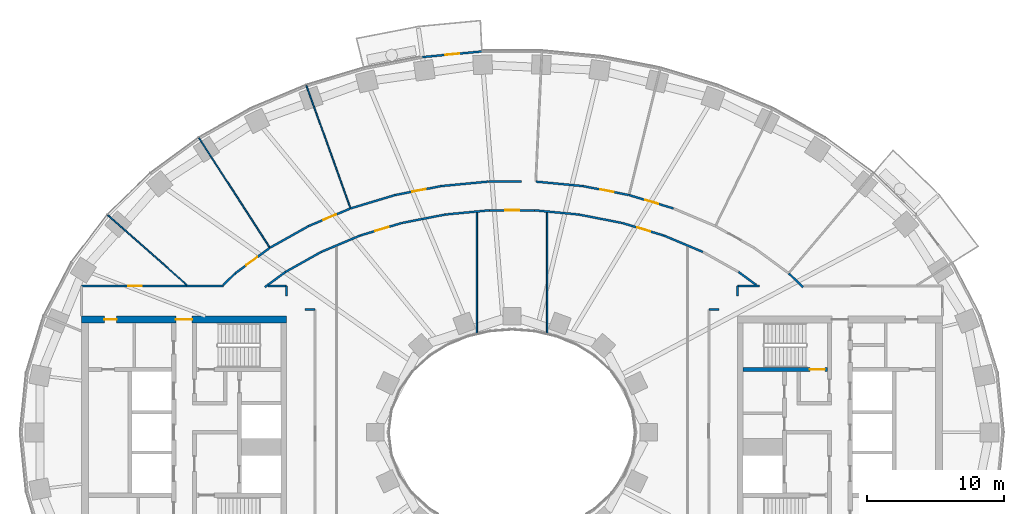
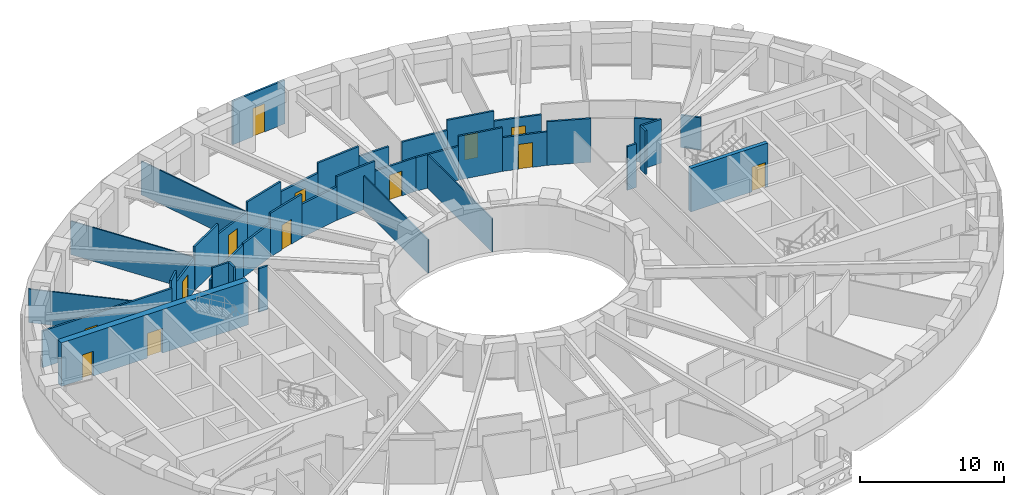
# One storey, part 6 of 16: 39 walls, 13 doors, 13 openings.
"""IFC4 building model written with IfcOpenShell, lengths in metres."""

from ifc_helpers import new_model, si_unit, direction, frame, frame_2d, origin, place, context, subcontext, project, spatial, rectangle, extrude, material, layer, layer_set, type_object, element, fill, save


model = new_model("IFC4")

# Units and contexts
model_context = context("Model", 3, precision=1e-05, world=origin(), true_north=direction((0.0, 1.0)))
body_context = subcontext(model_context, "Body", "Model", "MODEL_VIEW")
ifc_project = project(units=[si_unit("LENGTHUNIT", "METRE"), si_unit("AREAUNIT", "SQUARE_METRE"), si_unit("VOLUMEUNIT", "CUBIC_METRE"), si_unit("PLANEANGLEUNIT", "RADIAN"), si_unit("MASSUNIT", "GRAM", prefix="KILO")], contexts=[model_context])

# Site, building, storey
site_placement = place(None, origin())
site = spatial("IfcSite", under=ifc_project, at=site_placement, CompositionType="ELEMENT")
building_placement = place(site_placement, origin())
building = spatial("IfcBuilding", under=site, at=building_placement, Name="Noorbagh Ring Tower", CompositionType="ELEMENT")
storey_placement = place(building_placement, frame((0.0, 0.0, 66.5)))
storey = spatial("IfcBuildingStorey", under=building, at=storey_placement, Name="L14", CompositionType="ELEMENT", Elevation=66.5)

# Wall, opening, door
ifc_material_1 = material(Name="Concrete C70/85", Category="concrete")
ifc_layer_1 = layer(ifc_material_1, 0.300048828125)
ifc_layer_set_1 = layer_set([ifc_layer_1], Name="Concrete C70/85")
wall_type_1 = type_object("IfcWallType", Name="CORE-WALL-300-C70-85-EI240", PredefinedType="SHEAR", material=ifc_layer_set_1)
wall_1_placement = place(storey_placement, frame((16.89990234375, 4.60009765625, 0.0), z_axis=(0.0, 0.0, 1.0), x_axis=(1.0, 0.0, 0.0)))
wall_1 = element("IfcWall", 1, at=wall_1_placement, inside=storey, type_object=wall_type_1, Name="Core wall E", PredefinedType="SHEAR", context=body_context, shape_type="SweptSolid", body=[
    extrude(rectangle(XDim=6.18017578125, YDim=0.300048828125, at=frame_2d((3.090087890625, 0.0))), origin(), (0.0, 0.0, 1.0), 3.699951171875),
])
opening_1_placement = place(wall_1_placement, frame((4.89990234375, 0.0, 0.0)))
opening_1 = element("IfcOpeningElement", 2, at=opening_1_placement, cuts=wall_1, Name="Opening L14-CE05", PredefinedType="OPENING", context=body_context, shape_type="SweptSolid", body=[
    extrude(rectangle(XDim=1.10009765625, YDim=2.10009765625, at=frame_2d((0.550048828125, 1.050048828125))), frame((0.0, 0.16015625, 0.0), z_axis=(0.0, -1.0, 0.0), x_axis=(1.0, 0.0, 0.0)), (0.0, 0.0, 1.0), 0.320068359375),
])
ifc_material_2 = material(Name="Steel door leaf", Category="steel")
door_type_1 = type_object("IfcDoorType", Name="CORE-DOOR-DSTAIR", OperationType="SINGLE_SWING_LEFT", PredefinedType="DOOR", material=ifc_material_2)
door_1_placement = place(opening_1_placement, origin())
door_1 = element("IfcDoor", 3, at=door_1_placement, inside=storey, type_object=door_type_1, Name="Stair door ST3 L14-CE05", OperationType="SINGLE_SWING_LEFT", OverallHeight=2.10009765625, OverallWidth=1.10009765625, PredefinedType="DOOR", context=body_context, shape_type="SweptSolid", body=[
    extrude(rectangle(XDim=1.10009765625, YDim=2.10009765625, at=frame_2d((0.550048828125, 1.050048828125))), frame((0.0, 0.02490234375, 0.0), z_axis=(0.0, -1.0, 0.0), x_axis=(1.0, 0.0, 0.0)), (0.0, 0.0, 1.0), 0.050048828125),
])
fill(opening_1, door_1)

# Wall, openings, doors
ifc_material_3 = material(Name="Concrete C70/85", Category="concrete")
ifc_layer_2 = layer(ifc_material_3, 0.5)
ifc_layer_set_2 = layer_set([ifc_layer_2], Name="Concrete C70/85")
wall_type_2 = type_object("IfcWallType", Name="CORE-WALL-500-C70-85-EI240", PredefinedType="SHEAR", material=ifc_layer_set_2)
wall_2_placement = place(storey_placement, frame((-16.5, 8.25, 0.0), z_axis=(0.0, 0.0, 1.0), x_axis=(-1.0, 0.0, 0.0)))
wall_2 = element("IfcWall", 4, at=wall_2_placement, inside=storey, type_object=wall_type_2, Name="Core wall W", PredefinedType="SHEAR", context=body_context, shape_type="SweptSolid", body=[
    extrude(rectangle(XDim=15.0, YDim=0.5, at=frame_2d((7.5, 0.0))), origin(), (0.0, 0.0, 1.0), 3.699951171875),
])
opening_2_placement = place(wall_2_placement, frame((6.89990234375, 0.0, 0.0)))
opening_2 = element("IfcOpeningElement", 5, at=opening_2_placement, cuts=wall_2, Name="Opening L14-CW09", PredefinedType="OPENING", context=body_context, shape_type="SweptSolid", body=[
    extrude(rectangle(XDim=1.199951171875, YDim=2.10009765625, at=frame_2d((0.60009765625, 1.050048828125))), frame((0.0, 0.260009765625, 0.0), z_axis=(0.0, -1.0, 0.0), x_axis=(1.0, 0.0, 0.0)), (0.0, 0.0, 1.0), 0.52001953125),
])
opening_3_placement = place(wall_2_placement, frame((12.425048828125, 0.0, 0.0)))
opening_3 = element("IfcOpeningElement", 6, at=opening_3_placement, cuts=wall_2, Name="Opening L14-CW13", PredefinedType="OPENING", context=body_context, shape_type="SweptSolid", body=[
    extrude(rectangle(XDim=0.89990234375, YDim=2.10009765625, at=frame_2d((0.449951171875, 1.050048828125))), frame((0.0, 0.260009765625, 0.0), z_axis=(0.0, -1.0, 0.0), x_axis=(1.0, 0.0, 0.0)), (0.0, 0.0, 1.0), 0.52001953125),
])
ifc_material_4 = material(Name="Steel door leaf", Category="steel")
door_type_2 = type_object("IfcDoorType", Name="CORE-DOOR-DROOM", OperationType="SINGLE_SWING_LEFT", PredefinedType="DOOR", material=ifc_material_4)
door_2_placement = place(opening_3_placement, origin())
door_2 = element("IfcDoor", 7, at=door_2_placement, inside=storey, type_object=door_type_2, Name="Core room door L14-CW13", OperationType="SINGLE_SWING_RIGHT", OverallHeight=2.10009765625, OverallWidth=0.89990234375, PredefinedType="DOOR", context=body_context, shape_type="SweptSolid", body=[
    extrude(rectangle(XDim=0.89990234375, YDim=2.10009765625, at=frame_2d((0.449951171875, 1.050048828125))), frame((0.0, 0.02490234375, 0.0), z_axis=(0.0, -1.0, 0.0), x_axis=(1.0, 0.0, 0.0)), (0.0, 0.0, 1.0), 0.050048828125),
])
fill(opening_3, door_2)
ifc_material_5 = material(Name="Steel door leaf", Category="steel")
door_type_3 = type_object("IfcDoorType", Name="CORE-DOOR-PORT", OperationType="DOUBLE_DOOR_DOUBLE_SWING", PredefinedType="DOOR", material=ifc_material_5)
door_3_placement = place(opening_2_placement, origin())
door_3 = element("IfcDoor", 8, at=door_3_placement, inside=storey, type_object=door_type_3, Name="Core entrance door L14-CW09", OperationType="DOUBLE_DOOR_DOUBLE_SWING", OverallHeight=2.10009765625, OverallWidth=1.199951171875, PredefinedType="DOOR", context=body_context, shape_type="SweptSolid", body=[
    extrude(rectangle(XDim=1.199951171875, YDim=2.10009765625, at=frame_2d((0.60009765625, 1.050048828125))), frame((0.0, 0.02490234375, 0.0), z_axis=(0.0, -1.0, 0.0), x_axis=(1.0, 0.0, 0.0)), (0.0, 0.0, 1.0), 0.050048828125),
])
fill(opening_2, door_3)

# Wall, opening, door
ifc_material_6 = material(Name="Gypsum board on steel studs", Category="steel")
ifc_layer_3 = layer(ifc_material_6, 0.14990234375)
ifc_layer_set_3 = layer_set([ifc_layer_3], Name="Gypsum board on steel studs")
wall_type_3 = type_object("IfcWallType", Name="CORRIDOR PARTITION 150 EI 30", PredefinedType="PARTITIONING", material=ifc_layer_set_3)
wall_3_placement = place(storey_placement, frame((-31.5, 10.699951171875, 0.0), z_axis=(0.0, 0.0, 1.0), x_axis=(1.0, 0.0, 0.0)))
wall_3 = element("IfcWall", 9, at=wall_3_placement, inside=storey, type_object=wall_type_3, Name="L14/wall/P06", PredefinedType="PARTITIONING", context=body_context, shape_type="SweptSolid", body=[
    extrude(rectangle(XDim=10.39599609375, YDim=0.14990234375, at=frame_2d((5.197998046875, 0.0))), origin(), (0.0, 0.0, 1.0), 3.10009765625),
])
opening_4_placement = place(wall_3_placement, frame((3.403076171875, 0.0, 0.0)))
opening_4 = element("IfcOpeningElement", 10, at=opening_4_placement, cuts=wall_3, Name="Opening D1", PredefinedType="OPENING", context=body_context, shape_type="SweptSolid", body=[
    extrude(rectangle(XDim=1.0, YDim=2.10009765625, at=frame_2d((0.5, 1.050048828125))), frame((0.0, 0.0849609375, 0.0), z_axis=(0.0, -1.0, 0.0), x_axis=(1.0, 0.0, 0.0)), (0.0, 0.0, 1.0), 0.169921875),
])
ifc_material_7 = material(Name="Timber, painted", Category="wood")
door_type_4 = type_object("IfcDoorType", Name="DOOR 1000 X 2100 FD30", OperationType="SINGLE_SWING_LEFT", PredefinedType="DOOR", material=ifc_material_7)
door_4_placement = place(opening_4_placement, origin())
door_4 = element("IfcDoor", 11, at=door_4_placement, inside=storey, type_object=door_type_4, Name="L14-D06", OperationType="SINGLE_SWING_RIGHT", OverallHeight=2.10009765625, OverallWidth=1.0, PredefinedType="DOOR", context=body_context, shape_type="SweptSolid", body=[
    extrude(rectangle(XDim=1.0, YDim=2.10009765625, at=frame_2d((0.5, 1.050048828125))), frame((0.0, 0.02490234375, 0.0), z_axis=(0.0, -1.0, 0.0), x_axis=(1.0, 0.0, 0.0)), (0.0, 0.0, 1.0), 0.050048828125),
])
fill(opening_4, door_4)

# Wall
wall_4_placement = place(storey_placement, frame((-21.135009765625, 10.77490234375, 0.0), z_axis=(0.0, 0.0, 1.0), x_axis=(0.717043956417, 0.697027951065, 0.0)))
element("IfcWall", 12, at=wall_4_placement, inside=storey, type_object=wall_type_3, Name="L14/wall/P18", PredefinedType="PARTITIONING", context=body_context, shape_type="SweptSolid", body=[
    extrude(rectangle(XDim=1.244140625, YDim=0.14990234375, at=frame_2d((0.6220703125, 0.0))), origin(), (0.0, 0.0, 1.0), 3.699951171875),
])

# Wall, opening, door
wall_5_placement = place(storey_placement, frame((-20.242919921875, 11.64208984375, 0.0), z_axis=(0.0, 0.0, 1.0), x_axis=(0.805148342369, 0.593073475027, 0.0)))
wall_5 = element("IfcWall", 13, at=wall_5_placement, inside=storey, type_object=wall_type_3, Name="L14/wall/P20", PredefinedType="PARTITIONING", context=body_context, shape_type="SweptSolid", body=[
    extrude(rectangle(XDim=3.117431640625, YDim=0.14990234375, at=frame_2d((1.55859375, 0.0))), origin(), (0.0, 0.0, 1.0), 2.75),
])
opening_5_placement = place(wall_5_placement, frame((0.987548828125, 0.0, 0.0)))
opening_5 = element("IfcOpeningElement", 14, at=opening_5_placement, cuts=wall_5, Name="Opening D1", PredefinedType="OPENING", context=body_context, shape_type="SweptSolid", body=[
    extrude(rectangle(XDim=1.0, YDim=2.10009765625, at=frame_2d((0.5, 1.050048828125))), frame((0.0, 0.0849609375, 0.0), z_axis=(0.0, -1.0, 0.0), x_axis=(1.0, 0.0, 0.0)), (0.0, 0.0, 1.0), 0.169921875),
])
door_5_placement = place(opening_5_placement, origin())
door_5 = element("IfcDoor", 15, at=door_5_placement, inside=storey, type_object=door_type_4, Name="L14-D07", OperationType="SINGLE_SWING_LEFT", OverallHeight=2.10009765625, OverallWidth=1.0, PredefinedType="DOOR", context=body_context, shape_type="SweptSolid", body=[
    extrude(rectangle(XDim=1.0, YDim=2.10009765625, at=frame_2d((0.5, 1.050048828125))), frame((0.0, 0.02490234375, 0.0), z_axis=(0.0, -1.0, 0.0), x_axis=(1.0, 0.0, 0.0)), (0.0, 0.0, 1.0), 0.050048828125),
])
fill(opening_5, door_5)

# Walls
wall_6_placement = place(storey_placement, frame((-18.0830078125, 10.625, 0.0), z_axis=(0.0, 0.0, 1.0), x_axis=(0.805150898842, 0.593070004379, 0.0)))
element("IfcWall", 16, at=wall_6_placement, inside=storey, type_object=wall_type_3, Name="L14/wall/P23", PredefinedType="PARTITIONING", context=body_context, shape_type="SweptSolid", body=[
    extrude(rectangle(XDim=1.871826171875, YDim=0.14990234375, at=frame_2d((0.93603515625, 0.0))), origin(), (0.0, 0.0, 1.0), 2.75),
])
wall_7_placement = place(storey_placement, frame((-17.85498046875, 10.699951171875, 0.0), z_axis=(0.0, 0.0, 1.0), x_axis=(1.0, 0.0, 0.0)))
element("IfcWall", 17, at=wall_7_placement, inside=storey, type_object=wall_type_3, Name="L14/wall/P24", PredefinedType="PARTITIONING", context=body_context, shape_type="SweptSolid", body=[
    extrude(rectangle(XDim=1.35498046875, YDim=0.14990234375, at=frame_2d((0.677490234375, 0.0))), origin(), (0.0, 0.0, 1.0), 3.699951171875),
])
wall_8_placement = place(storey_placement, frame((-17.698974609375, 13.512939453125, 0.0), z_axis=(0.0, 0.0, 1.0), x_axis=(0.872072163686, 0.489377299559, 0.0)))
element("IfcWall", 18, at=wall_8_placement, inside=storey, type_object=wall_type_3, Name="L14/wall/P26", PredefinedType="PARTITIONING", context=body_context, shape_type="SweptSolid", body=[
    extrude(rectangle(XDim=3.226806640625, YDim=0.14990234375, at=frame_2d((1.61328125, 0.0))), origin(), (0.0, 0.0, 1.0), 3.699951171875),
])
wall_9_placement = place(storey_placement, frame((-16.575927734375, 11.735107421875, 0.0), z_axis=(0.0, 0.0, 1.0), x_axis=(0.872164226045, 0.489213207924, 0.0)))
element("IfcWall", 19, at=wall_9_placement, inside=storey, type_object=wall_type_3, Name="L14/wall/P28", PredefinedType="PARTITIONING", context=body_context, shape_type="SweptSolid", body=[
    extrude(rectangle(XDim=2.998291015625, YDim=0.14990234375, at=frame_2d((1.4990234375, 0.0))), origin(), (0.0, 0.0, 1.0), 2.75),
])
wall_10_placement = place(storey_placement, frame((-16.5, 9.964111328125, 0.0), z_axis=(0.0, 0.0, 1.0), x_axis=(0.0, 1.0, 0.0)))
element("IfcWall", 20, at=wall_10_placement, inside=storey, type_object=wall_type_3, Name="L14/wall/P30", PredefinedType="PARTITIONING", context=body_context, shape_type="SweptSolid", body=[
    extrude(rectangle(XDim=0.73583984375, YDim=0.14990234375, at=frame_2d((0.367919921875, 0.0))), origin(), (0.0, 0.0, 1.0), 3.699951171875),
])
wall_11_placement = place(storey_placement, frame((-15.134033203125, 9.0, 0.0), z_axis=(0.0, 0.0, 1.0), x_axis=(1.0, 0.0, 0.0)))
element("IfcWall", 21, at=wall_11_placement, inside=storey, type_object=wall_type_3, Name="L14/wall/P32", PredefinedType="PARTITIONING", context=body_context, shape_type="SweptSolid", body=[
    extrude(rectangle(XDim=0.734130859375, YDim=0.14990234375, at=frame_2d((0.3671875, 0.0))), origin(), (0.0, 0.0, 1.0), 3.699951171875),
])

# Wall, opening, door
wall_12_placement = place(storey_placement, frame((-14.885009765625, 15.092041015625, 0.0), z_axis=(0.0, 0.0, 1.0), x_axis=(0.921844706698, 0.387559462189, 0.0)))
wall_12 = element("IfcWall", 22, at=wall_12_placement, inside=storey, type_object=wall_type_3, Name="L14/wall/P36", PredefinedType="PARTITIONING", context=body_context, shape_type="SweptSolid", body=[
    extrude(rectangle(XDim=3.31298828125, YDim=0.14990234375, at=frame_2d((1.656494140625, 0.0))), origin(), (0.0, 0.0, 1.0), 2.85009765625),
])
opening_6_placement = place(wall_12_placement, frame((1.18359375, 0.0, 0.0)))
opening_6 = element("IfcOpeningElement", 23, at=opening_6_placement, cuts=wall_12, Name="Opening D1", PredefinedType="OPENING", context=body_context, shape_type="SweptSolid", body=[
    extrude(rectangle(XDim=1.0, YDim=2.10009765625, at=frame_2d((0.5, 1.050048828125))), frame((0.0, 0.0849609375, 0.0), z_axis=(0.0, -1.0, 0.0), x_axis=(1.0, 0.0, 0.0)), (0.0, 0.0, 1.0), 0.169921875),
])
door_6_placement = place(opening_6_placement, origin())
door_6 = element("IfcDoor", 24, at=door_6_placement, inside=storey, type_object=door_type_4, Name="L14-D09", OperationType="SINGLE_SWING_LEFT", OverallHeight=2.10009765625, OverallWidth=1.0, PredefinedType="DOOR", context=body_context, shape_type="SweptSolid", body=[
    extrude(rectangle(XDim=1.0, YDim=2.10009765625, at=frame_2d((0.5, 1.050048828125))), frame((0.0, 0.02490234375, 0.0), z_axis=(0.0, -1.0, 0.0), x_axis=(1.0, 0.0, 0.0)), (0.0, 0.0, 1.0), 0.050048828125),
])
fill(opening_6, door_6)

# Walls
wall_13_placement = place(storey_placement, frame((-13.9609375, 13.201904296875, 0.0), z_axis=(0.0, 0.0, 1.0), x_axis=(0.921753827375, 0.387775555857, 0.0)))
element("IfcWall", 25, at=wall_13_placement, inside=storey, type_object=wall_type_3, Name="L14/wall/P39", PredefinedType="PARTITIONING", context=body_context, shape_type="SweptSolid", body=[
    extrude(rectangle(XDim=3.1025390625, YDim=0.14990234375, at=frame_2d((1.55126953125, 0.0))), origin(), (0.0, 0.0, 1.0), 2.85009765625),
])
wall_14_placement = place(storey_placement, frame((-11.81201171875, 16.384033203125, 0.0), z_axis=(0.0, 0.0, 1.0), x_axis=(0.95754884035, 0.28827108482, 0.0)))
element("IfcWall", 26, at=wall_14_placement, inside=storey, type_object=wall_type_3, Name="L14/wall/P42", PredefinedType="PARTITIONING", context=body_context, shape_type="SweptSolid", body=[
    extrude(rectangle(XDim=3.396240234375, YDim=0.14990234375, at=frame_2d((1.6982421875, 0.0))), origin(), (0.0, 0.0, 1.0), 3.699951171875),
])

# Wall, opening, door
wall_15_placement = place(storey_placement, frame((-11.10107421875, 14.405029296875, 0.0), z_axis=(0.0, 0.0, 1.0), x_axis=(0.957612601062, 0.28805920622, 0.0)))
wall_15 = element("IfcWall", 27, at=wall_15_placement, inside=storey, type_object=wall_type_3, Name="L14/wall/P44", PredefinedType="PARTITIONING", context=body_context, shape_type="SweptSolid", body=[
    extrude(rectangle(XDim=3.179931640625, YDim=0.14990234375, at=frame_2d((1.58984375, 0.0))), origin(), (0.0, 0.0, 1.0), 3.699951171875),
])
opening_7_placement = place(wall_15_placement, frame((1.14990234375, 0.0, 0.0)))
opening_7 = element("IfcOpeningElement", 28, at=opening_7_placement, cuts=wall_15, Name="Opening D1", PredefinedType="OPENING", context=body_context, shape_type="SweptSolid", body=[
    extrude(rectangle(XDim=1.0, YDim=2.10009765625, at=frame_2d((0.5, 1.050048828125))), frame((0.0, 0.0849609375, 0.0), z_axis=(0.0, -1.0, 0.0), x_axis=(1.0, 0.0, 0.0)), (0.0, 0.0, 1.0), 0.169921875),
])
door_7_placement = place(opening_7_placement, origin())
door_7 = element("IfcDoor", 29, at=door_7_placement, inside=storey, type_object=door_type_4, Name="L14-D22", OperationType="SINGLE_SWING_RIGHT", OverallHeight=2.10009765625, OverallWidth=1.0, PredefinedType="DOOR", context=body_context, shape_type="SweptSolid", body=[
    extrude(rectangle(XDim=1.0, YDim=2.10009765625, at=frame_2d((0.5, 1.050048828125))), frame((0.0, 0.02490234375, 0.0), z_axis=(0.0, -1.0, 0.0), x_axis=(1.0, 0.0, 0.0)), (0.0, 0.0, 1.0), 0.050048828125),
])
fill(opening_7, door_7)

wall_16_placement = place(storey_placement, frame((-8.56005859375, 17.363037109375, 0.0), z_axis=(0.0, 0.0, 1.0), x_axis=(0.981639027618, 0.1907480523, 0.0)))
wall_16 = element("IfcWall", 30, at=wall_16_placement, inside=storey, type_object=wall_type_3, Name="L14/wall/P46", PredefinedType="PARTITIONING", context=body_context, shape_type="SweptSolid", body=[
    extrude(rectangle(XDim=3.439208984375, YDim=0.14990234375, at=frame_2d((1.7197265625, 0.0))), origin(), (0.0, 0.0, 1.0), 2.85009765625),
])
opening_8_placement = place(wall_16_placement, frame((1.2890625, 0.0, 0.0)))
opening_8 = element("IfcOpeningElement", 31, at=opening_8_placement, cuts=wall_16, Name="Opening D1", PredefinedType="OPENING", context=body_context, shape_type="SweptSolid", body=[
    extrude(rectangle(XDim=1.0, YDim=2.10009765625, at=frame_2d((0.5, 1.050048828125))), frame((0.0, 0.0849609375, 0.0), z_axis=(0.0, -1.0, 0.0), x_axis=(1.0, 0.0, 0.0)), (0.0, 0.0, 1.0), 0.169921875),
])
door_8_placement = place(opening_8_placement, origin())
door_8 = element("IfcDoor", 32, at=door_8_placement, inside=storey, type_object=door_type_4, Name="L14-D11", OperationType="SINGLE_SWING_LEFT", OverallHeight=2.10009765625, OverallWidth=1.0, PredefinedType="DOOR", context=body_context, shape_type="SweptSolid", body=[
    extrude(rectangle(XDim=1.0, YDim=2.10009765625, at=frame_2d((0.5, 1.050048828125))), frame((0.0, 0.02490234375, 0.0), z_axis=(0.0, -1.0, 0.0), x_axis=(1.0, 0.0, 0.0)), (0.0, 0.0, 1.0), 0.050048828125),
])
fill(opening_8, door_8)

# Walls
wall_17_placement = place(storey_placement, frame((-8.055908203125, 15.321044921875, 0.0), z_axis=(0.0, 0.0, 1.0), x_axis=(0.981604377859, 0.190926282547, 0.0)))
element("IfcWall", 33, at=wall_17_placement, inside=storey, type_object=wall_type_3, Name="L14/wall/P48", PredefinedType="PARTITIONING", context=body_context, shape_type="SweptSolid", body=[
    extrude(rectangle(XDim=3.231201171875, YDim=0.14990234375, at=frame_2d((1.61572265625, 0.0))), origin(), (0.0, 0.0, 1.0), 2.85009765625),
])
wall_18_placement = place(storey_placement, frame((-5.18408203125, 18.01904296875, 0.0), z_axis=(0.0, 0.0, 1.0), x_axis=(0.995482474707, 0.09494547146, 0.0)))
element("IfcWall", 34, at=wall_18_placement, inside=storey, type_object=wall_type_3, Name="L14/wall/P50", PredefinedType="PARTITIONING", context=body_context, shape_type="SweptSolid", body=[
    extrude(rectangle(XDim=3.463623046875, YDim=0.14990234375, at=frame_2d((1.73193359375, 0.0))), origin(), (0.0, 0.0, 1.0), 3.699951171875),
])
wall_19_placement = place(storey_placement, frame((-4.884033203125, 15.93798828125, 0.0), z_axis=(0.0, 0.0, 1.0), x_axis=(0.99547459835, 0.095028017131, 0.0)))
element("IfcWall", 35, at=wall_19_placement, inside=storey, type_object=wall_type_3, Name="L14/wall/P52", PredefinedType="PARTITIONING", context=body_context, shape_type="SweptSolid", body=[
    extrude(rectangle(XDim=3.2626953125, YDim=0.14990234375, at=frame_2d((1.63134765625, 0.0))), origin(), (0.0, 0.0, 1.0), 3.699951171875),
])
wall_20_placement = place(storey_placement, frame((-1.736083984375, 18.347900390625, 0.0), z_axis=(0.0, 0.0, 1.0), x_axis=(1.0, 0.0, 0.0)))
element("IfcWall", 36, at=wall_20_placement, inside=storey, type_object=wall_type_3, Name="L14/wall/P56", PredefinedType="PARTITIONING", context=body_context, shape_type="SweptSolid", body=[
    extrude(rectangle(XDim=2.4130859375, YDim=0.14990234375, at=frame_2d((1.20654296875, 0.0))), origin(), (0.0, 0.0, 1.0), 2.85009765625),
])

# Wall, opening, door
wall_21_placement = place(storey_placement, frame((-1.635986328125, 16.248046875, 0.0), z_axis=(0.0, 0.0, 1.0), x_axis=(1.0, 0.0, 0.0)))
wall_21 = element("IfcWall", 37, at=wall_21_placement, inside=storey, type_object=wall_type_3, Name="L14/wall/P58", PredefinedType="PARTITIONING", context=body_context, shape_type="SweptSolid", body=[
    extrude(rectangle(XDim=3.27197265625, YDim=0.14990234375, at=frame_2d((1.635986328125, 0.0))), origin(), (0.0, 0.0, 1.0), 2.85009765625),
])
opening_9_placement = place(wall_21_placement, frame((1.14990234375, 0.0, 0.0)))
opening_9 = element("IfcOpeningElement", 38, at=opening_9_placement, cuts=wall_21, Name="Opening D1", PredefinedType="OPENING", context=body_context, shape_type="SweptSolid", body=[
    extrude(rectangle(XDim=1.0, YDim=2.10009765625, at=frame_2d((0.5, 1.050048828125))), frame((0.0, 0.0849609375, 0.0), z_axis=(0.0, -1.0, 0.0), x_axis=(1.0, 0.0, 0.0)), (0.0, 0.0, 1.0), 0.169921875),
])
door_9_placement = place(opening_9_placement, origin())
door_9 = element("IfcDoor", 39, at=door_9_placement, inside=storey, type_object=door_type_4, Name="L14-D24", OperationType="SINGLE_SWING_RIGHT", OverallHeight=2.10009765625, OverallWidth=1.0, PredefinedType="DOOR", context=body_context, shape_type="SweptSolid", body=[
    extrude(rectangle(XDim=1.0, YDim=2.10009765625, at=frame_2d((0.5, 1.050048828125))), frame((0.0, 0.02490234375, 0.0), z_axis=(0.0, -1.0, 0.0), x_axis=(1.0, 0.0, 0.0)), (0.0, 0.0, 1.0), 0.050048828125),
])
fill(opening_9, door_9)

# Walls
wall_22_placement = place(storey_placement, frame((1.635986328125, 16.248046875, 0.0), z_axis=(0.0, 0.0, 1.0), x_axis=(0.99547459835, -0.095028017131, 0.0)))
element("IfcWall", 40, at=wall_22_placement, inside=storey, type_object=wall_type_3, Name="L14/wall/P60", PredefinedType="PARTITIONING", context=body_context, shape_type="SweptSolid", body=[
    extrude(rectangle(XDim=3.2626953125, YDim=0.14990234375, at=frame_2d((1.63134765625, 0.0))), origin(), (0.0, 0.0, 1.0), 2.85009765625),
])
wall_23_placement = place(storey_placement, frame((1.756103515625, 18.345947265625, 0.0), z_axis=(0.0, 0.0, 1.0), x_axis=(0.99548367506, -0.094932885187, 0.0)))
element("IfcWall", 41, at=wall_23_placement, inside=storey, type_object=wall_type_3, Name="L14/wall/P63", PredefinedType="PARTITIONING", context=body_context, shape_type="SweptSolid", body=[
    extrude(rectangle(XDim=3.443603515625, YDim=0.14990234375, at=frame_2d((1.7216796875, 0.0))), origin(), (0.0, 0.0, 1.0), 2.85009765625),
])
wall_24_placement = place(storey_placement, frame((4.884033203125, 15.93798828125, 0.0), z_axis=(0.0, 0.0, 1.0), x_axis=(0.981604377859, -0.190926282547, 0.0)))
element("IfcWall", 42, at=wall_24_placement, inside=storey, type_object=wall_type_3, Name="L14/wall/P68", PredefinedType="PARTITIONING", context=body_context, shape_type="SweptSolid", body=[
    extrude(rectangle(XDim=3.231201171875, YDim=0.14990234375, at=frame_2d((1.61572265625, 0.0))), origin(), (0.0, 0.0, 1.0), 3.699951171875),
])

# Wall, opening, door
wall_25_placement = place(storey_placement, frame((5.18408203125, 18.01904296875, 0.0), z_axis=(0.0, 0.0, 1.0), x_axis=(0.981650299947, -0.190690032812, 0.0)))
wall_25 = element("IfcWall", 43, at=wall_25_placement, inside=storey, type_object=wall_type_3, Name="L14/wall/P70", PredefinedType="PARTITIONING", context=body_context, shape_type="SweptSolid", body=[
    extrude(rectangle(XDim=3.419677734375, YDim=0.14990234375, at=frame_2d((1.7099609375, 0.0))), origin(), (0.0, 0.0, 1.0), 3.699951171875),
])
opening_10_placement = place(wall_25_placement, frame((1.2890625, 0.0, 0.0)))
opening_10 = element("IfcOpeningElement", 44, at=opening_10_placement, cuts=wall_25, Name="Opening D1", PredefinedType="OPENING", context=body_context, shape_type="SweptSolid", body=[
    extrude(rectangle(XDim=1.0, YDim=2.10009765625, at=frame_2d((0.5, 1.050048828125))), frame((0.0, 0.0849609375, 0.0), z_axis=(0.0, -1.0, 0.0), x_axis=(1.0, 0.0, 0.0)), (0.0, 0.0, 1.0), 0.169921875),
])
door_10_placement = place(opening_10_placement, origin())
door_10 = element("IfcDoor", 45, at=door_10_placement, inside=storey, type_object=door_type_4, Name="L14-D12", OperationType="SINGLE_SWING_RIGHT", OverallHeight=2.10009765625, OverallWidth=1.0, PredefinedType="DOOR", context=body_context, shape_type="SweptSolid", body=[
    extrude(rectangle(XDim=1.0, YDim=2.10009765625, at=frame_2d((0.5, 1.050048828125))), frame((0.0, 0.02490234375, 0.0), z_axis=(0.0, -1.0, 0.0), x_axis=(1.0, 0.0, 0.0)), (0.0, 0.0, 1.0), 0.050048828125),
])
fill(opening_10, door_10)

wall_26_placement = place(storey_placement, frame((8.055908203125, 15.321044921875, 0.0), z_axis=(0.0, 0.0, 1.0), x_axis=(0.957612601062, -0.28805920622, 0.0)))
wall_26 = element("IfcWall", 46, at=wall_26_placement, inside=storey, type_object=wall_type_3, Name="L14/wall/P72", PredefinedType="PARTITIONING", context=body_context, shape_type="SweptSolid", body=[
    extrude(rectangle(XDim=3.179931640625, YDim=0.14990234375, at=frame_2d((1.58984375, 0.0))), origin(), (0.0, 0.0, 1.0), 2.85009765625),
])
opening_11_placement = place(wall_26_placement, frame((1.14990234375, 0.0, 0.0)))
opening_11 = element("IfcOpeningElement", 47, at=opening_11_placement, cuts=wall_26, Name="Opening D1", PredefinedType="OPENING", context=body_context, shape_type="SweptSolid", body=[
    extrude(rectangle(XDim=1.0, YDim=2.10009765625, at=frame_2d((0.5, 1.050048828125))), frame((0.0, 0.0849609375, 0.0), z_axis=(0.0, -1.0, 0.0), x_axis=(1.0, 0.0, 0.0)), (0.0, 0.0, 1.0), 0.169921875),
])
door_11_placement = place(opening_11_placement, origin())
door_11 = element("IfcDoor", 48, at=door_11_placement, inside=storey, type_object=door_type_4, Name="L14-D25", OperationType="SINGLE_SWING_LEFT", OverallHeight=2.10009765625, OverallWidth=1.0, PredefinedType="DOOR", context=body_context, shape_type="SweptSolid", body=[
    extrude(rectangle(XDim=1.0, YDim=2.10009765625, at=frame_2d((0.5, 1.050048828125))), frame((0.0, 0.02490234375, 0.0), z_axis=(0.0, -1.0, 0.0), x_axis=(1.0, 0.0, 0.0)), (0.0, 0.0, 1.0), 0.050048828125),
])
fill(opening_11, door_11)

wall_27_placement = place(storey_placement, frame((8.56005859375, 17.363037109375, 0.0), z_axis=(0.0, 0.0, 1.0), x_axis=(0.95754884035, -0.28827108482, 0.0)))
wall_27 = element("IfcWall", 49, at=wall_27_placement, inside=storey, type_object=wall_type_3, Name="L14/wall/P74", PredefinedType="PARTITIONING", context=body_context, shape_type="SweptSolid", body=[
    extrude(rectangle(XDim=3.396240234375, YDim=0.14990234375, at=frame_2d((1.6982421875, 0.0))), origin(), (0.0, 0.0, 1.0), 2.85009765625),
])
opening_12_placement = place(wall_27_placement, frame((1.24609375, 0.0, 0.0)))
opening_12 = element("IfcOpeningElement", 50, at=opening_12_placement, cuts=wall_27, Name="Opening D1", PredefinedType="OPENING", context=body_context, shape_type="SweptSolid", body=[
    extrude(rectangle(XDim=1.0, YDim=2.10009765625, at=frame_2d((0.5, 1.050048828125))), frame((0.0, 0.0849609375, 0.0), z_axis=(0.0, -1.0, 0.0), x_axis=(1.0, 0.0, 0.0)), (0.0, 0.0, 1.0), 0.169921875),
])
door_12_placement = place(opening_12_placement, origin())
door_12 = element("IfcDoor", 51, at=door_12_placement, inside=storey, type_object=door_type_4, Name="L14-D14", OperationType="SINGLE_SWING_RIGHT", OverallHeight=2.10009765625, OverallWidth=1.0, PredefinedType="DOOR", context=body_context, shape_type="SweptSolid", body=[
    extrude(rectangle(XDim=1.0, YDim=2.10009765625, at=frame_2d((0.5, 1.050048828125))), frame((0.0, 0.02490234375, 0.0), z_axis=(0.0, -1.0, 0.0), x_axis=(1.0, 0.0, 0.0)), (0.0, 0.0, 1.0), 0.050048828125),
])
fill(opening_12, door_12)

# Walls
wall_28_placement = place(storey_placement, frame((11.10107421875, 14.405029296875, 0.0), z_axis=(0.0, 0.0, 1.0), x_axis=(0.921753827375, -0.387775555857, 0.0)))
element("IfcWall", 52, at=wall_28_placement, inside=storey, type_object=wall_type_3, Name="L14/wall/P77", PredefinedType="PARTITIONING", context=body_context, shape_type="SweptSolid", body=[
    extrude(rectangle(XDim=3.1025390625, YDim=0.14990234375, at=frame_2d((1.55126953125, 0.0))), origin(), (0.0, 0.0, 1.0), 3.699951171875),
])
wall_29_placement = place(storey_placement, frame((14.39990234375, 9.0, 0.0), z_axis=(0.0, 0.0, 1.0), x_axis=(1.0, 0.0, 0.0)))
element("IfcWall", 53, at=wall_29_placement, inside=storey, type_object=wall_type_3, Name="L14/wall/P85", PredefinedType="PARTITIONING", context=body_context, shape_type="SweptSolid", body=[
    extrude(rectangle(XDim=0.734130859375, YDim=0.14990234375, at=frame_2d((0.3671875, 0.0))), origin(), (0.0, 0.0, 1.0), 3.699951171875),
])
wall_30_placement = place(storey_placement, frame((16.5, 9.964111328125, 0.0), z_axis=(0.0, 0.0, 1.0), x_axis=(0.0, 1.0, 0.0)))
element("IfcWall", 54, at=wall_30_placement, inside=storey, type_object=wall_type_3, Name="L14/wall/P92", PredefinedType="PARTITIONING", context=body_context, shape_type="SweptSolid", body=[
    extrude(rectangle(XDim=0.73583984375, YDim=0.14990234375, at=frame_2d((0.367919921875, 0.0))), origin(), (0.0, 0.0, 1.0), 3.699951171875),
])
wall_31_placement = place(storey_placement, frame((16.5, 10.699951171875, 0.0), z_axis=(0.0, 0.0, 1.0), x_axis=(1.0, 0.0, 0.0)))
element("IfcWall", 55, at=wall_31_placement, inside=storey, type_object=wall_type_3, Name="L14/wall/P93", PredefinedType="PARTITIONING", context=body_context, shape_type="SweptSolid", body=[
    extrude(rectangle(XDim=1.60693359375, YDim=0.14990234375, at=frame_2d((0.803466796875, 0.0))), origin(), (0.0, 0.0, 1.0), 3.699951171875),
])
wall_32_placement = place(storey_placement, frame((16.575927734375, 11.735107421875, 0.0), z_axis=(0.0, 0.0, 1.0), x_axis=(0.805021714708, -0.593245344566, 0.0)))
element("IfcWall", 56, at=wall_32_placement, inside=storey, type_object=wall_type_3, Name="L14/wall/P95", PredefinedType="PARTITIONING", context=body_context, shape_type="SweptSolid", body=[
    extrude(rectangle(XDim=1.61865234375, YDim=0.14990234375, at=frame_2d((0.809326171875, 0.0))), origin(), (0.0, 0.0, 1.0), 3.699951171875),
])
wall_33_placement = place(storey_placement, frame((20.257080078125, 11.6279296875, 0.0), z_axis=(0.0, 0.0, 1.0), x_axis=(0.717129161976, -0.696940288005, 0.0)))
element("IfcWall", 57, at=wall_33_placement, inside=storey, type_object=wall_type_3, Name="L14/wall/P101", PredefinedType="PARTITIONING", context=body_context, shape_type="SweptSolid", body=[
    extrude(rectangle(XDim=1.43896484375, YDim=0.14990234375, at=frame_2d((0.719482421875, 0.0))), origin(), (0.0, 0.0, 1.0), 2.75),
])

# Wall, opening, door
ifc_material_8 = material(Name="Insulated aluminium clad panel", Category="aluminium")
ifc_layer_4 = layer(ifc_material_8, 0.14990234375)
ifc_layer_set_4 = layer_set([ifc_layer_4], Name="Insulated aluminium clad panel")
wall_type_4 = type_object("IfcWallType", Name="ENV-WALL-DOOR", PredefinedType="STANDARD", material=ifc_layer_set_4)
wall_34_placement = place(storey_placement, frame((-2.166259765625, 27.875244140625, 0.0), z_axis=(0.0, 0.0, 1.0), x_axis=(-0.995473879823, -0.095035543824, 0.0)))
wall_34 = element("IfcWall", 58, at=wall_34_placement, inside=storey, type_object=wall_type_4, Name="Balcony door wall chord 13", PredefinedType="STANDARD", context=body_context, shape_type="SweptSolid", body=[
    extrude(rectangle(XDim=4.42626953125, YDim=0.14990234375, at=frame_2d((2.213134765625, 0.0))), origin(), (0.0, 0.0, 1.0), 3.699951171875),
])
opening_13_placement = place(wall_34_placement, frame((1.713134765625, 0.0, 0.0)))
opening_13 = element("IfcOpeningElement", 59, at=opening_13_placement, cuts=wall_34, Name="Opening D-BL", PredefinedType="OPENING", context=body_context, shape_type="SweptSolid", body=[
    extrude(rectangle(XDim=1.0, YDim=2.39990234375, at=frame_2d((0.5, 1.199951171875))), frame((0.0, 0.0849609375, 0.0), z_axis=(0.0, -1.0, 0.0), x_axis=(1.0, 0.0, 0.0)), (0.0, 0.0, 1.0), 0.169921875),
])
ifc_material_9 = material(Name="Aluminium and glass", Category="aluminium")
door_type_5 = type_object("IfcDoorType", Name="ENV-DOOR-BALCONY", OperationType="SINGLE_SWING_LEFT", PredefinedType="DOOR", material=ifc_material_9)
door_13_placement = place(opening_13_placement, origin())
door_13 = element("IfcDoor", 60, at=door_13_placement, inside=storey, type_object=door_type_5, Name="Balcony door chord 13", OperationType="SINGLE_SWING_LEFT", OverallHeight=2.39990234375, OverallWidth=1.0, PredefinedType="DOOR", context=body_context, shape_type="SweptSolid", body=[
    extrude(rectangle(XDim=1.0, YDim=2.39990234375, at=frame_2d((0.5, 1.199951171875))), frame((0.0, 0.02490234375, 0.0), z_axis=(0.0, -1.0, 0.0), x_axis=(1.0, 0.0, 0.0)), (0.0, 0.0, 1.0), 0.050048828125),
])
fill(opening_13, door_13)

# Walls
ifc_material_10 = material(Name="Gypsum board on steel studs", Category="steel")
ifc_layer_5 = layer(ifc_material_10, 0.10009765625)
ifc_layer_set_5 = layer_set([ifc_layer_5], Name="Gypsum board on steel studs")
wall_type_5 = type_object("IfcWallType", Name="PARTITION 100 GYPSUM", PredefinedType="PARTITIONING", material=ifc_layer_set_5)
wall_35_placement = place(storey_placement, frame((-29.569091796875, 15.89501953125, 0.0), z_axis=(0.0, 0.0, 1.0), x_axis=(0.748985701008, -0.662586160198, 0.0)))
element("IfcWall", 61, at=wall_35_placement, inside=storey, type_object=wall_type_5, Name="L14/wall/P07", PredefinedType="PARTITIONING", context=body_context, shape_type="SweptSolid", body=[
    extrude(rectangle(XDim=7.72265625, YDim=0.10009765625, at=frame_2d((3.861328125, 0.0))), origin(), (0.0, 0.0, 1.0), 2.85009765625),
])
wall_36_placement = place(storey_placement, frame((-22.905029296875, 21.5419921875, 0.0), z_axis=(0.0, 0.0, 1.0), x_axis=(0.542244314938, -0.840220865557, 0.0)))
element("IfcWall", 62, at=wall_36_placement, inside=storey, type_object=wall_type_5, Name="L14/wall/P15", PredefinedType="PARTITIONING", context=body_context, shape_type="SweptSolid", body=[
    extrude(rectangle(XDim=9.56396484375, YDim=0.10009765625, at=frame_2d((4.781982421875, 0.0))), origin(), (0.0, 0.0, 1.0), 2.85009765625),
])
wall_37_placement = place(storey_placement, frame((-15.048095703125, 25.383056640625, 0.0), z_axis=(0.0, 0.0, 1.0), x_axis=(0.338338680362, -0.941024408488, 0.0)))
element("IfcWall", 63, at=wall_37_placement, inside=storey, type_object=wall_type_5, Name="L14/wall/P34", PredefinedType="PARTITIONING", context=body_context, shape_type="SweptSolid", body=[
    extrude(rectangle(XDim=9.558837890625, YDim=0.10009765625, at=frame_2d((4.779296875, 0.0))), origin(), (0.0, 0.0, 1.0), 2.85009765625),
])
for number, where, z_axis, x_axis, name in (
    (64, (-2.569091796875, 7.160888671875, 0.0), (0.0, 0.0, 1.0), (0.0, 1.0, 0.0), "L14/wall/P54"),
    (65, (2.569091796875, 7.160888671875, 0.0), (0.0, 0.0, 1.0), (0.0, 1.0, 0.0), "L14/wall/P65"),
):
    element("IfcWall", number, at=place(storey_placement, frame(where, z_axis=z_axis, x_axis=x_axis)), inside=storey, type_object=wall_type_5, Name=name, PredefinedType="PARTITIONING", context=body_context, shape_type="SweptSolid", body=[
        extrude(rectangle(XDim=8.919189453125, YDim=0.10009765625, at=frame_2d((4.45947265625, 0.0))), origin(), (0.0, 0.0, 1.0), 2.85009765625),
    ])

save(model, "model.ifc")
